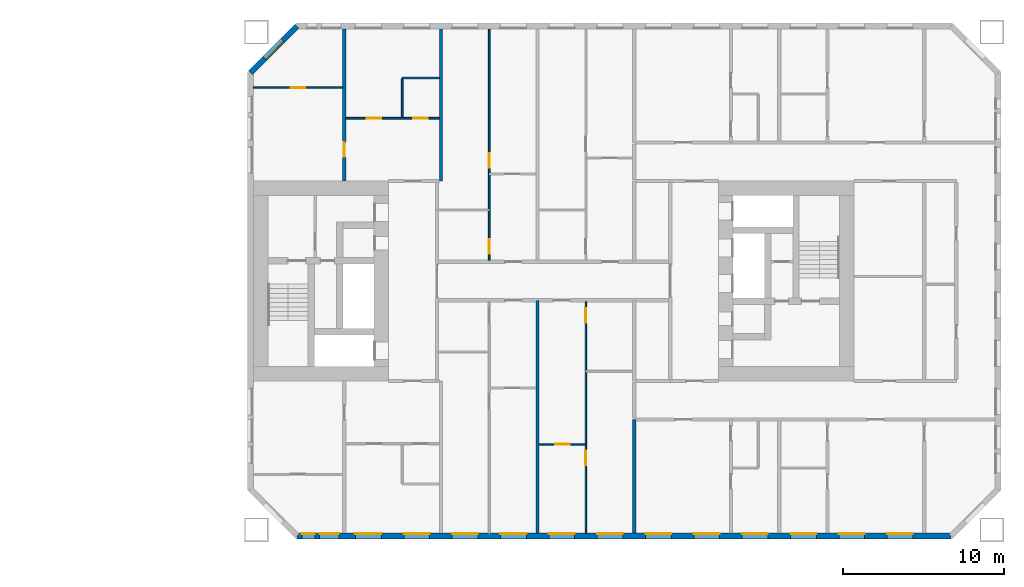
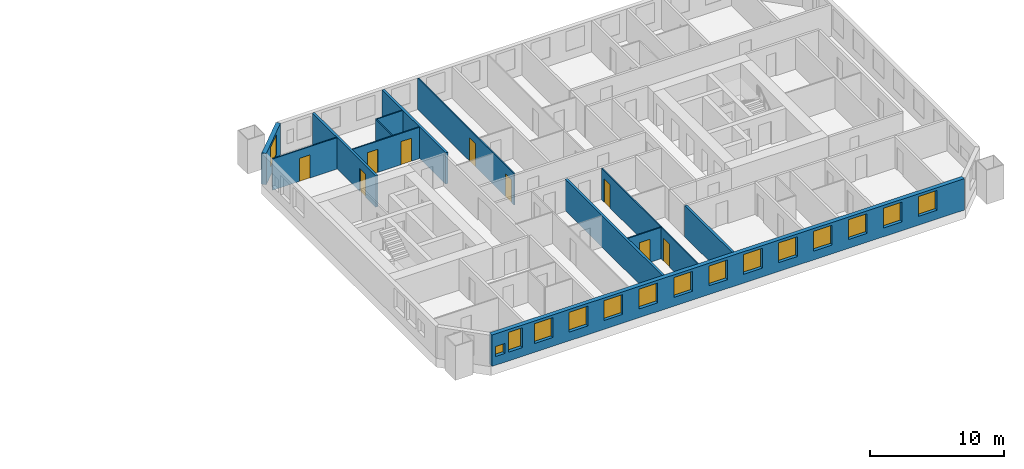
# One storey, part 10 of 16: 15 windows, 13 walls, 9 doors, 24 openings.
"""IFC4 building model written with IfcOpenShell, lengths in metres."""

from ifc_helpers import new_model, si_unit, direction, frame, frame_2d, origin, place, context, subcontext, project, spatial, rectangle, extrude, material, layer, layer_set, type_object, element, fill, save


model = new_model("IFC4")

# Units and contexts
model_context = context("Model", 3, precision=1e-05, world=origin(), true_north=direction((0.0, 1.0)))
body_context = subcontext(model_context, "Body", "Model", "MODEL_VIEW")
ifc_project = project(units=[si_unit("LENGTHUNIT", "METRE"), si_unit("AREAUNIT", "SQUARE_METRE"), si_unit("VOLUMEUNIT", "CUBIC_METRE"), si_unit("PLANEANGLEUNIT", "RADIAN"), si_unit("MASSUNIT", "GRAM", prefix="KILO")], contexts=[model_context])

# Site, building, storey
site_placement = place(None, origin())
site = spatial("IfcSite", under=ifc_project, at=site_placement, CompositionType="ELEMENT")
building_placement = place(site_placement, origin())
building = spatial("IfcBuilding", under=site, at=building_placement, Name="Tuart Gate Housing", CompositionType="ELEMENT")
storey_placement = place(building_placement, frame((0.0, 0.0, 19.5)))
storey = spatial("IfcBuildingStorey", under=building, at=storey_placement, Name="L04", CompositionType="ELEMENT", Elevation=19.5)

# Wall, openings, windows
ifc_material_1 = material(Name="Brick", Category="masonry")
ifc_layer_1 = layer(ifc_material_1, 0.360107421875)
ifc_layer_set_1 = layer_set([ifc_layer_1], Name="Brick pier and spandrel wall 360")
wall_type_1 = type_object("IfcWallType", Name="Brick pier and spandrel wall 360", PredefinedType="STANDARD", material=ifc_layer_set_1)
wall_1_placement = place(storey_placement, frame((134.07470703125, 54.179931640625, 0.0), z_axis=(0.0, 0.0, 1.0), x_axis=(1.0, 0.0, 0.0)))
wall_1 = element("IfcWall", 1, at=wall_1_placement, inside=storey, type_object=wall_type_1, Name="External wall B-S L04", PredefinedType="STANDARD", context=body_context, shape_type="SweptSolid", body=[
    extrude(rectangle(XDim=40.600830078125, YDim=0.360107421875, at=frame_2d((20.30029296875, 0.0))), origin(), (0.0, 0.0, 1.0), 2.85009765625),
])
opening_1_placement = place(wall_1_placement, frame((0.300048828125, 0.0, 0.800048828125)))
opening_1 = element("IfcOpeningElement", 2, at=opening_1_placement, cuts=wall_1, Name="Opening W1V", PredefinedType="OPENING", context=body_context, shape_type="SweptSolid", body=[
    extrude(rectangle(XDim=0.800048828125, YDim=0.89990234375, at=frame_2d((0.39990234375, 0.449951171875))), frame((0.0, 0.18994140625, 0.0), z_axis=(0.0, -1.0, 0.0), x_axis=(1.0, 0.0, 0.0)), (0.0, 0.0, 1.0), 0.380126953125),
])
opening_2_placement = place(wall_1_placement, frame((3.62548828125, 0.0, 0.800048828125)))
opening_2 = element("IfcOpeningElement", 3, at=opening_2_placement, cuts=wall_1, Name="Opening W1", PredefinedType="OPENING", context=body_context, shape_type="SweptSolid", body=[
    extrude(rectangle(XDim=1.60009765625, YDim=1.800048828125, at=frame_2d((0.800048828125, 0.89990234375))), frame((0.0, 0.18994140625, 0.0), z_axis=(0.0, -1.0, 0.0), x_axis=(1.0, 0.0, 0.0)), (0.0, 0.0, 1.0), 0.380126953125),
])
opening_3_placement = place(wall_1_placement, frame((6.62548828125, 0.0, 0.800048828125)))
opening_3 = element("IfcOpeningElement", 4, at=opening_3_placement, cuts=wall_1, Name="Opening W1", PredefinedType="OPENING", context=body_context, shape_type="SweptSolid", body=[
    extrude(rectangle(XDim=1.60009765625, YDim=1.800048828125, at=frame_2d((0.800048828125, 0.89990234375))), frame((0.0, 0.18994140625, 0.0), z_axis=(0.0, -1.0, 0.0), x_axis=(1.0, 0.0, 0.0)), (0.0, 0.0, 1.0), 0.380126953125),
])
opening_4_placement = place(wall_1_placement, frame((9.62548828125, 0.0, 0.800048828125)))
opening_4 = element("IfcOpeningElement", 5, at=opening_4_placement, cuts=wall_1, Name="Opening W1", PredefinedType="OPENING", context=body_context, shape_type="SweptSolid", body=[
    extrude(rectangle(XDim=1.60009765625, YDim=1.800048828125, at=frame_2d((0.800048828125, 0.89990234375))), frame((0.0, 0.18994140625, 0.0), z_axis=(0.0, -1.0, 0.0), x_axis=(1.0, 0.0, 0.0)), (0.0, 0.0, 1.0), 0.380126953125),
])
opening_5_placement = place(wall_1_placement, frame((12.62548828125, 0.0, 0.800048828125)))
opening_5 = element("IfcOpeningElement", 6, at=opening_5_placement, cuts=wall_1, Name="Opening W1", PredefinedType="OPENING", context=body_context, shape_type="SweptSolid", body=[
    extrude(rectangle(XDim=1.60009765625, YDim=1.800048828125, at=frame_2d((0.800048828125, 0.89990234375))), frame((0.0, 0.18994140625, 0.0), z_axis=(0.0, -1.0, 0.0), x_axis=(1.0, 0.0, 0.0)), (0.0, 0.0, 1.0), 0.380126953125),
])
opening_6_placement = place(wall_1_placement, frame((15.62548828125, 0.0, 0.800048828125)))
opening_6 = element("IfcOpeningElement", 7, at=opening_6_placement, cuts=wall_1, Name="Opening W1", PredefinedType="OPENING", context=body_context, shape_type="SweptSolid", body=[
    extrude(rectangle(XDim=1.60009765625, YDim=1.800048828125, at=frame_2d((0.800048828125, 0.89990234375))), frame((0.0, 0.18994140625, 0.0), z_axis=(0.0, -1.0, 0.0), x_axis=(1.0, 0.0, 0.0)), (0.0, 0.0, 1.0), 0.380126953125),
])
opening_7_placement = place(wall_1_placement, frame((18.62548828125, 0.0, 0.800048828125)))
opening_7 = element("IfcOpeningElement", 8, at=opening_7_placement, cuts=wall_1, Name="Opening W1", PredefinedType="OPENING", context=body_context, shape_type="SweptSolid", body=[
    extrude(rectangle(XDim=1.60009765625, YDim=1.800048828125, at=frame_2d((0.800048828125, 0.89990234375))), frame((0.0, 0.18994140625, 0.0), z_axis=(0.0, -1.0, 0.0), x_axis=(1.0, 0.0, 0.0)), (0.0, 0.0, 1.0), 0.380126953125),
])
opening_8_placement = place(wall_1_placement, frame((21.62548828125, 0.0, 0.800048828125)))
opening_8 = element("IfcOpeningElement", 9, at=opening_8_placement, cuts=wall_1, Name="Opening W1", PredefinedType="OPENING", context=body_context, shape_type="SweptSolid", body=[
    extrude(rectangle(XDim=1.60009765625, YDim=1.800048828125, at=frame_2d((0.800048828125, 0.89990234375))), frame((0.0, 0.18994140625, 0.0), z_axis=(0.0, -1.0, 0.0), x_axis=(1.0, 0.0, 0.0)), (0.0, 0.0, 1.0), 0.380126953125),
])
opening_9_placement = place(wall_1_placement, frame((24.62548828125, 0.0, 0.800048828125)))
opening_9 = element("IfcOpeningElement", 10, at=opening_9_placement, cuts=wall_1, Name="Opening W1", PredefinedType="OPENING", context=body_context, shape_type="SweptSolid", body=[
    extrude(rectangle(XDim=1.60009765625, YDim=1.800048828125, at=frame_2d((0.800048828125, 0.89990234375))), frame((0.0, 0.18994140625, 0.0), z_axis=(0.0, -1.0, 0.0), x_axis=(1.0, 0.0, 0.0)), (0.0, 0.0, 1.0), 0.380126953125),
])
opening_10_placement = place(wall_1_placement, frame((27.62548828125, 0.0, 0.800048828125)))
opening_10 = element("IfcOpeningElement", 11, at=opening_10_placement, cuts=wall_1, Name="Opening W1", PredefinedType="OPENING", context=body_context, shape_type="SweptSolid", body=[
    extrude(rectangle(XDim=1.60009765625, YDim=1.800048828125, at=frame_2d((0.800048828125, 0.89990234375))), frame((0.0, 0.18994140625, 0.0), z_axis=(0.0, -1.0, 0.0), x_axis=(1.0, 0.0, 0.0)), (0.0, 0.0, 1.0), 0.380126953125),
])
opening_11_placement = place(wall_1_placement, frame((30.62548828125, 0.0, 0.800048828125)))
opening_11 = element("IfcOpeningElement", 12, at=opening_11_placement, cuts=wall_1, Name="Opening W1", PredefinedType="OPENING", context=body_context, shape_type="SweptSolid", body=[
    extrude(rectangle(XDim=1.60009765625, YDim=1.800048828125, at=frame_2d((0.800048828125, 0.89990234375))), frame((0.0, 0.18994140625, 0.0), z_axis=(0.0, -1.0, 0.0), x_axis=(1.0, 0.0, 0.0)), (0.0, 0.0, 1.0), 0.380126953125),
])
opening_12_placement = place(wall_1_placement, frame((33.62548828125, 0.0, 0.800048828125)))
opening_12 = element("IfcOpeningElement", 13, at=opening_12_placement, cuts=wall_1, Name="Opening W1", PredefinedType="OPENING", context=body_context, shape_type="SweptSolid", body=[
    extrude(rectangle(XDim=1.60009765625, YDim=1.800048828125, at=frame_2d((0.800048828125, 0.89990234375))), frame((0.0, 0.18994140625, 0.0), z_axis=(0.0, -1.0, 0.0), x_axis=(1.0, 0.0, 0.0)), (0.0, 0.0, 1.0), 0.380126953125),
])
opening_13_placement = place(wall_1_placement, frame((36.62548828125, 0.0, 0.800048828125)))
opening_13 = element("IfcOpeningElement", 14, at=opening_13_placement, cuts=wall_1, Name="Opening W1", PredefinedType="OPENING", context=body_context, shape_type="SweptSolid", body=[
    extrude(rectangle(XDim=1.60009765625, YDim=1.800048828125, at=frame_2d((0.800048828125, 0.89990234375))), frame((0.0, 0.18994140625, 0.0), z_axis=(0.0, -1.0, 0.0), x_axis=(1.0, 0.0, 0.0)), (0.0, 0.0, 1.0), 0.380126953125),
])
opening_14_placement = place(wall_1_placement, frame((1.39990234375, 0.0, 0.800048828125)))
opening_14 = element("IfcOpeningElement", 15, at=opening_14_placement, cuts=wall_1, Name="Opening W1B", PredefinedType="OPENING", context=body_context, shape_type="SweptSolid", body=[
    extrude(rectangle(XDim=1.199951171875, YDim=1.800048828125, at=frame_2d((0.60009765625, 0.89990234375))), frame((0.0, 0.18994140625, 0.0), z_axis=(0.0, -1.0, 0.0), x_axis=(1.0, 0.0, 0.0)), (0.0, 0.0, 1.0), 0.380126953125),
])
ifc_material_2 = material(Name="Aluminium frame with clear glass", Category="aluminium")
window_type_1 = type_object("IfcWindowType", Name="Punched window 1200 x 1800", PartitioningType="SINGLE_PANEL", PredefinedType="WINDOW", material=ifc_material_2)
window_1_placement = place(opening_14_placement, origin())
window_1 = element("IfcWindow", 16, at=window_1_placement, inside=storey, type_object=window_type_1, Name="Window W1B", OverallHeight=1.800048828125, OverallWidth=1.199951171875, PartitioningType="SINGLE_PANEL", PredefinedType="WINDOW", context=body_context, shape_type="SweptSolid", body=[
    extrude(rectangle(XDim=1.199951171875, YDim=1.800048828125, at=frame_2d((0.60009765625, 0.89990234375))), frame((0.0, 0.150146484375, 0.0), z_axis=(0.0, -1.0, 0.0), x_axis=(1.0, 0.0, 0.0)), (0.0, 0.0, 1.0), 0.06005859375),
])
fill(opening_14, window_1)
ifc_material_3 = material(Name="Aluminium frame with clear glass", Category="aluminium")
window_type_2 = type_object("IfcWindowType", Name="Punched window 1600 x 1800", PartitioningType="SINGLE_PANEL", PredefinedType="WINDOW", material=ifc_material_3)
window_2_placement = place(opening_2_placement, origin())
window_2 = element("IfcWindow", 17, at=window_2_placement, inside=storey, type_object=window_type_2, Name="Window W1", OverallHeight=1.800048828125, OverallWidth=1.60009765625, PartitioningType="SINGLE_PANEL", PredefinedType="WINDOW", context=body_context, shape_type="SweptSolid", body=[
    extrude(rectangle(XDim=1.60009765625, YDim=1.800048828125, at=frame_2d((0.800048828125, 0.89990234375))), frame((0.0, 0.150146484375, 0.0), z_axis=(0.0, -1.0, 0.0), x_axis=(1.0, 0.0, 0.0)), (0.0, 0.0, 1.0), 0.06005859375),
])
fill(opening_2, window_2)
window_3_placement = place(opening_3_placement, origin())
window_3 = element("IfcWindow", 18, at=window_3_placement, inside=storey, type_object=window_type_2, Name="Window W1", OverallHeight=1.800048828125, OverallWidth=1.60009765625, PartitioningType="SINGLE_PANEL", PredefinedType="WINDOW", context=body_context, shape_type="SweptSolid", body=[
    extrude(rectangle(XDim=1.60009765625, YDim=1.800048828125, at=frame_2d((0.800048828125, 0.89990234375))), frame((0.0, 0.150146484375, 0.0), z_axis=(0.0, -1.0, 0.0), x_axis=(1.0, 0.0, 0.0)), (0.0, 0.0, 1.0), 0.06005859375),
])
fill(opening_3, window_3)
window_4_placement = place(opening_4_placement, origin())
window_4 = element("IfcWindow", 19, at=window_4_placement, inside=storey, type_object=window_type_2, Name="Window W1", OverallHeight=1.800048828125, OverallWidth=1.60009765625, PartitioningType="SINGLE_PANEL", PredefinedType="WINDOW", context=body_context, shape_type="SweptSolid", body=[
    extrude(rectangle(XDim=1.60009765625, YDim=1.800048828125, at=frame_2d((0.800048828125, 0.89990234375))), frame((0.0, 0.150146484375, 0.0), z_axis=(0.0, -1.0, 0.0), x_axis=(1.0, 0.0, 0.0)), (0.0, 0.0, 1.0), 0.06005859375),
])
fill(opening_4, window_4)
window_5_placement = place(opening_5_placement, origin())
window_5 = element("IfcWindow", 20, at=window_5_placement, inside=storey, type_object=window_type_2, Name="Window W1", OverallHeight=1.800048828125, OverallWidth=1.60009765625, PartitioningType="SINGLE_PANEL", PredefinedType="WINDOW", context=body_context, shape_type="SweptSolid", body=[
    extrude(rectangle(XDim=1.60009765625, YDim=1.800048828125, at=frame_2d((0.800048828125, 0.89990234375))), frame((0.0, 0.150146484375, 0.0), z_axis=(0.0, -1.0, 0.0), x_axis=(1.0, 0.0, 0.0)), (0.0, 0.0, 1.0), 0.06005859375),
])
fill(opening_5, window_5)
window_6_placement = place(opening_6_placement, origin())
window_6 = element("IfcWindow", 21, at=window_6_placement, inside=storey, type_object=window_type_2, Name="Window W1", OverallHeight=1.800048828125, OverallWidth=1.60009765625, PartitioningType="SINGLE_PANEL", PredefinedType="WINDOW", context=body_context, shape_type="SweptSolid", body=[
    extrude(rectangle(XDim=1.60009765625, YDim=1.800048828125, at=frame_2d((0.800048828125, 0.89990234375))), frame((0.0, 0.150146484375, 0.0), z_axis=(0.0, -1.0, 0.0), x_axis=(1.0, 0.0, 0.0)), (0.0, 0.0, 1.0), 0.06005859375),
])
fill(opening_6, window_6)
window_7_placement = place(opening_7_placement, origin())
window_7 = element("IfcWindow", 22, at=window_7_placement, inside=storey, type_object=window_type_2, Name="Window W1", OverallHeight=1.800048828125, OverallWidth=1.60009765625, PartitioningType="SINGLE_PANEL", PredefinedType="WINDOW", context=body_context, shape_type="SweptSolid", body=[
    extrude(rectangle(XDim=1.60009765625, YDim=1.800048828125, at=frame_2d((0.800048828125, 0.89990234375))), frame((0.0, 0.150146484375, 0.0), z_axis=(0.0, -1.0, 0.0), x_axis=(1.0, 0.0, 0.0)), (0.0, 0.0, 1.0), 0.06005859375),
])
fill(opening_7, window_7)
window_8_placement = place(opening_8_placement, origin())
window_8 = element("IfcWindow", 23, at=window_8_placement, inside=storey, type_object=window_type_2, Name="Window W1", OverallHeight=1.800048828125, OverallWidth=1.60009765625, PartitioningType="SINGLE_PANEL", PredefinedType="WINDOW", context=body_context, shape_type="SweptSolid", body=[
    extrude(rectangle(XDim=1.60009765625, YDim=1.800048828125, at=frame_2d((0.800048828125, 0.89990234375))), frame((0.0, 0.150146484375, 0.0), z_axis=(0.0, -1.0, 0.0), x_axis=(1.0, 0.0, 0.0)), (0.0, 0.0, 1.0), 0.06005859375),
])
fill(opening_8, window_8)
window_9_placement = place(opening_9_placement, origin())
window_9 = element("IfcWindow", 24, at=window_9_placement, inside=storey, type_object=window_type_2, Name="Window W1", OverallHeight=1.800048828125, OverallWidth=1.60009765625, PartitioningType="SINGLE_PANEL", PredefinedType="WINDOW", context=body_context, shape_type="SweptSolid", body=[
    extrude(rectangle(XDim=1.60009765625, YDim=1.800048828125, at=frame_2d((0.800048828125, 0.89990234375))), frame((0.0, 0.150146484375, 0.0), z_axis=(0.0, -1.0, 0.0), x_axis=(1.0, 0.0, 0.0)), (0.0, 0.0, 1.0), 0.06005859375),
])
fill(opening_9, window_9)
window_10_placement = place(opening_10_placement, origin())
window_10 = element("IfcWindow", 25, at=window_10_placement, inside=storey, type_object=window_type_2, Name="Window W1", OverallHeight=1.800048828125, OverallWidth=1.60009765625, PartitioningType="SINGLE_PANEL", PredefinedType="WINDOW", context=body_context, shape_type="SweptSolid", body=[
    extrude(rectangle(XDim=1.60009765625, YDim=1.800048828125, at=frame_2d((0.800048828125, 0.89990234375))), frame((0.0, 0.150146484375, 0.0), z_axis=(0.0, -1.0, 0.0), x_axis=(1.0, 0.0, 0.0)), (0.0, 0.0, 1.0), 0.06005859375),
])
fill(opening_10, window_10)
window_11_placement = place(opening_11_placement, origin())
window_11 = element("IfcWindow", 26, at=window_11_placement, inside=storey, type_object=window_type_2, Name="Window W1", OverallHeight=1.800048828125, OverallWidth=1.60009765625, PartitioningType="SINGLE_PANEL", PredefinedType="WINDOW", context=body_context, shape_type="SweptSolid", body=[
    extrude(rectangle(XDim=1.60009765625, YDim=1.800048828125, at=frame_2d((0.800048828125, 0.89990234375))), frame((0.0, 0.150146484375, 0.0), z_axis=(0.0, -1.0, 0.0), x_axis=(1.0, 0.0, 0.0)), (0.0, 0.0, 1.0), 0.06005859375),
])
fill(opening_11, window_11)
window_12_placement = place(opening_12_placement, origin())
window_12 = element("IfcWindow", 27, at=window_12_placement, inside=storey, type_object=window_type_2, Name="Window W1", OverallHeight=1.800048828125, OverallWidth=1.60009765625, PartitioningType="SINGLE_PANEL", PredefinedType="WINDOW", context=body_context, shape_type="SweptSolid", body=[
    extrude(rectangle(XDim=1.60009765625, YDim=1.800048828125, at=frame_2d((0.800048828125, 0.89990234375))), frame((0.0, 0.150146484375, 0.0), z_axis=(0.0, -1.0, 0.0), x_axis=(1.0, 0.0, 0.0)), (0.0, 0.0, 1.0), 0.06005859375),
])
fill(opening_12, window_12)
window_13_placement = place(opening_13_placement, origin())
window_13 = element("IfcWindow", 28, at=window_13_placement, inside=storey, type_object=window_type_2, Name="Window W1", OverallHeight=1.800048828125, OverallWidth=1.60009765625, PartitioningType="SINGLE_PANEL", PredefinedType="WINDOW", context=body_context, shape_type="SweptSolid", body=[
    extrude(rectangle(XDim=1.60009765625, YDim=1.800048828125, at=frame_2d((0.800048828125, 0.89990234375))), frame((0.0, 0.150146484375, 0.0), z_axis=(0.0, -1.0, 0.0), x_axis=(1.0, 0.0, 0.0)), (0.0, 0.0, 1.0), 0.06005859375),
])
fill(opening_13, window_13)
ifc_material_4 = material(Name="Aluminium frame with clear glass", Category="aluminium")
window_type_3 = type_object("IfcWindowType", Name="Punched window 800 x 900", PartitioningType="SINGLE_PANEL", PredefinedType="WINDOW", material=ifc_material_4)
window_14_placement = place(opening_1_placement, origin())
window_14 = element("IfcWindow", 29, at=window_14_placement, inside=storey, type_object=window_type_3, Name="Window W1V", OverallHeight=0.89990234375, OverallWidth=0.800048828125, PartitioningType="SINGLE_PANEL", PredefinedType="WINDOW", context=body_context, shape_type="SweptSolid", body=[
    extrude(rectangle(XDim=0.800048828125, YDim=0.89990234375, at=frame_2d((0.39990234375, 0.449951171875))), frame((0.0, 0.150146484375, 0.0), z_axis=(0.0, -1.0, 0.0), x_axis=(1.0, 0.0, 0.0)), (0.0, 0.0, 1.0), 0.06005859375),
])
fill(opening_1, window_14)

# Wall, opening, window
wall_2_placement = place(storey_placement, frame((134.07470703125, 85.820068359375, 0.0), z_axis=(0.0, 0.0, 1.0), x_axis=(-0.707106781187, -0.707106781187, 0.0)))
wall_2 = element("IfcWall", 30, at=wall_2_placement, inside=storey, type_object=wall_type_1, Name="External wall B-NW L04", PredefinedType="STANDARD", context=body_context, shape_type="SweptSolid", body=[
    extrude(rectangle(XDim=4.09375, YDim=0.360107421875, at=frame_2d((2.046875, 0.0))), origin(), (0.0, 0.0, 1.0), 2.85009765625),
])
opening_15_placement = place(wall_2_placement, frame((1.2470703125, 0.0, 0.800048828125)))
opening_15 = element("IfcOpeningElement", 31, at=opening_15_placement, cuts=wall_2, Name="Opening W1", PredefinedType="OPENING", context=body_context, shape_type="SweptSolid", body=[
    extrude(rectangle(XDim=1.60009765625, YDim=1.800048828125, at=frame_2d((0.800048828125, 0.89990234375))), frame((0.0, 0.18994140625, 0.0), z_axis=(0.0, -1.0, 0.0), x_axis=(1.0, 0.0, 0.0)), (0.0, 0.0, 1.0), 0.380126953125),
])
window_15_placement = place(opening_15_placement, origin())
window_15 = element("IfcWindow", 32, at=window_15_placement, inside=storey, type_object=window_type_2, Name="Window W1", OverallHeight=1.800048828125, OverallWidth=1.60009765625, PartitioningType="SINGLE_PANEL", PredefinedType="WINDOW", context=body_context, shape_type="SweptSolid", body=[
    extrude(rectangle(XDim=1.60009765625, YDim=1.800048828125, at=frame_2d((0.800048828125, 0.89990234375))), frame((0.0, 0.150146484375, 0.0), z_axis=(0.0, -1.0, 0.0), x_axis=(1.0, 0.0, 0.0)), (0.0, 0.0, 1.0), 0.06005859375),
])
fill(opening_15, window_15)

# Wall, opening, door
ifc_material_5 = material(Name="Gypsum board on steel studs", Category="steel")
ifc_layer_2 = layer(ifc_material_5, 0.10009765625)
ifc_layer_set_2 = layer_set([ifc_layer_2], Name="Partition 100")
wall_type_2 = type_object("IfcWallType", Name="Partition 100", PredefinedType="PARTITIONING", material=ifc_layer_set_2)
wall_3_placement = place(storey_placement, frame((149.10009765625, 59.860107421875, 0.0), z_axis=(0.0, 0.0, 1.0), x_axis=(1.0, 0.0, 0.0)))
wall_3 = element("IfcWall", 33, at=wall_3_placement, inside=storey, type_object=wall_type_2, Name="Partition 100", PredefinedType="PARTITIONING", context=body_context, shape_type="SweptSolid", body=[
    extrude(rectangle(XDim=2.89990234375, YDim=0.10009765625, at=frame_2d((1.449951171875, 0.0))), origin(), (0.0, 0.0, 1.0), 2.85009765625),
])
opening_16_placement = place(wall_3_placement, frame((1.0, 0.0, 0.0)))
opening_16 = element("IfcOpeningElement", 34, at=opening_16_placement, cuts=wall_3, Name="Opening D459", PredefinedType="OPENING", context=body_context, shape_type="SweptSolid", body=[
    extrude(rectangle(XDim=0.89990234375, YDim=2.10009765625, at=frame_2d((0.449951171875, 1.050048828125))), frame((0.0, 0.06005859375, 0.0), z_axis=(0.0, -1.0, 0.0), x_axis=(1.0, 0.0, 0.0)), (0.0, 0.0, 1.0), 0.1201171875),
])
ifc_material_6 = material(Name="Timber door leaf in steel frame", Category="steel")
door_type_1 = type_object("IfcDoorType", Name="Internal door 900 RH", OperationType="SINGLE_SWING_RIGHT", PredefinedType="DOOR", material=ifc_material_6)
door_1_placement = place(opening_16_placement, origin())
door_1 = element("IfcDoor", 35, at=door_1_placement, inside=storey, type_object=door_type_1, Name="Internal door", OperationType="SINGLE_SWING_RIGHT", OverallHeight=2.10009765625, OverallWidth=0.89990234375, PredefinedType="DOOR", context=body_context, shape_type="SweptSolid", body=[
    extrude(rectangle(XDim=0.89990234375, YDim=2.10009765625, at=frame_2d((0.449951171875, 1.050048828125))), frame((0.0, 0.02490234375, 0.0), z_axis=(0.0, -1.0, 0.0), x_axis=(1.0, 0.0, 0.0)), (0.0, 0.0, 1.0), 0.050048828125),
])
fill(opening_16, door_1)

# Wall, openings, doors
wall_4_placement = place(storey_placement, frame((137.10009765625, 80.10009765625, 0.0), z_axis=(0.0, 0.0, 1.0), x_axis=(1.0, 0.0, 0.0)))
wall_4 = element("IfcWall", 36, at=wall_4_placement, inside=storey, type_object=wall_type_2, Name="Partition 100", PredefinedType="PARTITIONING", context=body_context, shape_type="SweptSolid", body=[
    extrude(rectangle(XDim=5.7998046875, YDim=0.10009765625, at=frame_2d((2.89990234375, 0.0))), origin(), (0.0, 0.0, 1.0), 2.85009765625),
])
opening_17_placement = place(wall_4_placement, frame((1.300048828125, 0.0, 0.0)))
opening_17 = element("IfcOpeningElement", 37, at=opening_17_placement, cuts=wall_4, Name="Opening D417", PredefinedType="OPENING", context=body_context, shape_type="SweptSolid", body=[
    extrude(rectangle(XDim=0.89990234375, YDim=2.10009765625, at=frame_2d((0.449951171875, 1.050048828125))), frame((0.0, 0.06005859375, 0.0), z_axis=(0.0, -1.0, 0.0), x_axis=(1.0, 0.0, 0.0)), (0.0, 0.0, 1.0), 0.1201171875),
])
opening_18_placement = place(wall_4_placement, frame((4.199951171875, 0.0, 0.0)))
opening_18 = element("IfcOpeningElement", 38, at=opening_18_placement, cuts=wall_4, Name="Opening D416", PredefinedType="OPENING", context=body_context, shape_type="SweptSolid", body=[
    extrude(rectangle(XDim=0.89990234375, YDim=2.10009765625, at=frame_2d((0.449951171875, 1.050048828125))), frame((0.0, 0.06005859375, 0.0), z_axis=(0.0, -1.0, 0.0), x_axis=(1.0, 0.0, 0.0)), (0.0, 0.0, 1.0), 0.1201171875),
])
ifc_material_7 = material(Name="Timber door leaf in steel frame", Category="steel")
door_type_2 = type_object("IfcDoorType", Name="Bathroom door 900", OperationType="SINGLE_SWING_LEFT", PredefinedType="DOOR", material=ifc_material_7)
door_2_placement = place(opening_18_placement, origin())
door_2 = element("IfcDoor", 39, at=door_2_placement, inside=storey, type_object=door_type_2, Name="Bathroom door", OperationType="SINGLE_SWING_LEFT", OverallHeight=2.10009765625, OverallWidth=0.89990234375, PredefinedType="DOOR", context=body_context, shape_type="SweptSolid", body=[
    extrude(rectangle(XDim=0.89990234375, YDim=2.10009765625, at=frame_2d((0.449951171875, 1.050048828125))), frame((0.0, 0.02490234375, 0.0), z_axis=(0.0, -1.0, 0.0), x_axis=(1.0, 0.0, 0.0)), (0.0, 0.0, 1.0), 0.050048828125),
])
fill(opening_18, door_2)
door_3_placement = place(opening_17_placement, origin())
door_3 = element("IfcDoor", 40, at=door_3_placement, inside=storey, type_object=door_type_1, Name="Internal door", OperationType="SINGLE_SWING_RIGHT", OverallHeight=2.10009765625, OverallWidth=0.89990234375, PredefinedType="DOOR", context=body_context, shape_type="SweptSolid", body=[
    extrude(rectangle(XDim=0.89990234375, YDim=2.10009765625, at=frame_2d((0.449951171875, 1.050048828125))), frame((0.0, 0.02490234375, 0.0), z_axis=(0.0, -1.0, 0.0), x_axis=(1.0, 0.0, 0.0)), (0.0, 0.0, 1.0), 0.050048828125),
])
fill(opening_17, door_3)

# Wall, opening, door
wall_5_placement = place(storey_placement, frame((131.360107421875, 82.0, 0.0), z_axis=(0.0, 0.0, 1.0), x_axis=(1.0, 0.0, 0.0)))
wall_5 = element("IfcWall", 41, at=wall_5_placement, inside=storey, type_object=wall_type_2, Name="Partition 100", PredefinedType="PARTITIONING", context=body_context, shape_type="SweptSolid", body=[
    extrude(rectangle(XDim=5.539794921875, YDim=0.10009765625, at=frame_2d((2.77001953125, 0.0))), origin(), (0.0, 0.0, 1.0), 2.85009765625),
])
opening_19_placement = place(wall_5_placement, frame((2.320068359375, 0.0, 0.0)))
opening_19 = element("IfcOpeningElement", 42, at=opening_19_placement, cuts=wall_5, Name="Opening D414", PredefinedType="OPENING", context=body_context, shape_type="SweptSolid", body=[
    extrude(rectangle(XDim=0.89990234375, YDim=2.10009765625, at=frame_2d((0.449951171875, 1.050048828125))), frame((0.0, 0.06005859375, 0.0), z_axis=(0.0, -1.0, 0.0), x_axis=(1.0, 0.0, 0.0)), (0.0, 0.0, 1.0), 0.1201171875),
])
ifc_material_8 = material(Name="Timber door leaf in steel frame", Category="steel")
door_type_3 = type_object("IfcDoorType", Name="Internal door 900", OperationType="SINGLE_SWING_LEFT", PredefinedType="DOOR", material=ifc_material_8)
door_4_placement = place(opening_19_placement, origin())
door_4 = element("IfcDoor", 43, at=door_4_placement, inside=storey, type_object=door_type_3, Name="Internal door", OperationType="SINGLE_SWING_LEFT", OverallHeight=2.10009765625, OverallWidth=0.89990234375, PredefinedType="DOOR", context=body_context, shape_type="SweptSolid", body=[
    extrude(rectangle(XDim=0.89990234375, YDim=2.10009765625, at=frame_2d((0.449951171875, 1.050048828125))), frame((0.0, 0.02490234375, 0.0), z_axis=(0.0, -1.0, 0.0), x_axis=(1.0, 0.0, 0.0)), (0.0, 0.0, 1.0), 0.050048828125),
])
fill(opening_19, door_4)

# Walls
wall_6_placement = place(storey_placement, frame((140.60009765625, 82.60009765625, 0.0), z_axis=(0.0, 0.0, 1.0), x_axis=(1.0, 0.0, 0.0)))
element("IfcWall", 44, at=wall_6_placement, inside=storey, type_object=wall_type_2, Name="Partition 100", PredefinedType="PARTITIONING", context=body_context, shape_type="SweptSolid", body=[
    extrude(rectangle(XDim=2.2998046875, YDim=0.10009765625, at=frame_2d((1.14990234375, 0.0))), origin(), (0.0, 0.0, 1.0), 2.85009765625),
])
wall_7_placement = place(storey_placement, frame((140.60009765625, 80.14990234375, 0.0), z_axis=(0.0, 0.0, 1.0), x_axis=(0.0, 1.0, 0.0)))
element("IfcWall", 45, at=wall_7_placement, inside=storey, type_object=wall_type_2, Name="Partition 100", PredefinedType="PARTITIONING", context=body_context, shape_type="SweptSolid", body=[
    extrude(rectangle(XDim=2.400146484375, YDim=0.10009765625, at=frame_2d((1.2001953125, 0.0))), origin(), (0.0, 0.0, 1.0), 2.85009765625),
])

# Wall, openings, doors
wall_8_placement = place(storey_placement, frame((146.0, 71.300048828125, 0.0), z_axis=(0.0, 0.0, 1.0), x_axis=(0.0, 1.0, 0.0)))
wall_8 = element("IfcWall", 46, at=wall_8_placement, inside=storey, type_object=wall_type_2, Name="Partition 100", PredefinedType="PARTITIONING", context=body_context, shape_type="SweptSolid", body=[
    extrude(rectangle(XDim=14.33984375, YDim=0.10009765625, at=frame_2d((7.169921875, 0.0))), origin(), (0.0, 0.0, 1.0), 2.85009765625),
])
opening_20_placement = place(wall_8_placement, frame((5.739990234375, 0.0, 0.0)))
opening_20 = element("IfcOpeningElement", 47, at=opening_20_placement, cuts=wall_8, Name="Opening D421", PredefinedType="OPENING", context=body_context, shape_type="SweptSolid", body=[
    extrude(rectangle(XDim=0.89990234375, YDim=2.10009765625, at=frame_2d((0.449951171875, 1.050048828125))), frame((0.0, 0.06005859375, 0.0), z_axis=(0.0, -1.0, 0.0), x_axis=(1.0, 0.0, 0.0)), (0.0, 0.0, 1.0), 0.1201171875),
])
opening_21_placement = place(wall_8_placement, frame((0.39990234375, 0.0, 0.0)))
opening_21 = element("IfcOpeningElement", 48, at=opening_21_placement, cuts=wall_8, Name="Opening D420", PredefinedType="OPENING", context=body_context, shape_type="SweptSolid", body=[
    extrude(rectangle(XDim=0.89990234375, YDim=2.10009765625, at=frame_2d((0.449951171875, 1.050048828125))), frame((0.0, 0.06005859375, 0.0), z_axis=(0.0, -1.0, 0.0), x_axis=(1.0, 0.0, 0.0)), (0.0, 0.0, 1.0), 0.1201171875),
])
door_5_placement = place(opening_21_placement, origin())
door_5 = element("IfcDoor", 49, at=door_5_placement, inside=storey, type_object=door_type_2, Name="Bathroom door", OperationType="SINGLE_SWING_LEFT", OverallHeight=2.10009765625, OverallWidth=0.89990234375, PredefinedType="DOOR", context=body_context, shape_type="SweptSolid", body=[
    extrude(rectangle(XDim=0.89990234375, YDim=2.10009765625, at=frame_2d((0.449951171875, 1.050048828125))), frame((0.0, 0.02490234375, 0.0), z_axis=(0.0, -1.0, 0.0), x_axis=(1.0, 0.0, 0.0)), (0.0, 0.0, 1.0), 0.050048828125),
])
fill(opening_21, door_5)
door_6_placement = place(opening_20_placement, origin())
door_6 = element("IfcDoor", 50, at=door_6_placement, inside=storey, type_object=door_type_3, Name="Internal door", OperationType="SINGLE_SWING_LEFT", OverallHeight=2.10009765625, OverallWidth=0.89990234375, PredefinedType="DOOR", context=body_context, shape_type="SweptSolid", body=[
    extrude(rectangle(XDim=0.89990234375, YDim=2.10009765625, at=frame_2d((0.449951171875, 1.050048828125))), frame((0.0, 0.02490234375, 0.0), z_axis=(0.0, -1.0, 0.0), x_axis=(1.0, 0.0, 0.0)), (0.0, 0.0, 1.0), 0.050048828125),
])
fill(opening_20, door_6)

wall_9_placement = place(storey_placement, frame((152.0, 54.360107421875, 0.0), z_axis=(0.0, 0.0, 1.0), x_axis=(0.0, 1.0, 0.0)))
wall_9 = element("IfcWall", 51, at=wall_9_placement, inside=storey, type_object=wall_type_2, Name="Partition 100", PredefinedType="PARTITIONING", context=body_context, shape_type="SweptSolid", body=[
    extrude(rectangle(XDim=14.33984375, YDim=0.10009765625, at=frame_2d((7.169921875, 0.0))), origin(), (0.0, 0.0, 1.0), 2.85009765625),
])
opening_22_placement = place(wall_9_placement, frame((4.199951171875, 0.0, 0.0)))
opening_22 = element("IfcOpeningElement", 52, at=opening_22_placement, cuts=wall_9, Name="Opening D454", PredefinedType="OPENING", context=body_context, shape_type="SweptSolid", body=[
    extrude(rectangle(XDim=0.89990234375, YDim=2.10009765625, at=frame_2d((0.449951171875, 1.050048828125))), frame((0.0, 0.06005859375, 0.0), z_axis=(0.0, -1.0, 0.0), x_axis=(1.0, 0.0, 0.0)), (0.0, 0.0, 1.0), 0.1201171875),
])
opening_23_placement = place(wall_9_placement, frame((13.0400390625, 0.0, 0.0)))
opening_23 = element("IfcOpeningElement", 53, at=opening_23_placement, cuts=wall_9, Name="Opening D453", PredefinedType="OPENING", context=body_context, shape_type="SweptSolid", body=[
    extrude(rectangle(XDim=0.89990234375, YDim=2.10009765625, at=frame_2d((0.449951171875, 1.050048828125))), frame((0.0, 0.06005859375, 0.0), z_axis=(0.0, -1.0, 0.0), x_axis=(1.0, 0.0, 0.0)), (0.0, 0.0, 1.0), 0.1201171875),
])
door_7_placement = place(opening_23_placement, frame((0.89990234375, 0.0, 0.0), z_axis=(0.0, 0.0, 1.0), x_axis=(-1.0, 0.0, 0.0)))
door_7 = element("IfcDoor", 54, at=door_7_placement, inside=storey, type_object=door_type_2, Name="Bathroom door", OperationType="SINGLE_SWING_LEFT", OverallHeight=2.10009765625, OverallWidth=0.89990234375, PredefinedType="DOOR", context=body_context, shape_type="SweptSolid", body=[
    extrude(rectangle(XDim=0.89990234375, YDim=2.10009765625, at=frame_2d((0.449951171875, 1.050048828125))), frame((0.0, 0.025146484375, 0.0), z_axis=(0.0, -1.0, 0.0), x_axis=(1.0, 0.0, 0.0)), (0.0, 0.0, 1.0), 0.050048828125),
])
fill(opening_23, door_7)
door_8_placement = place(opening_22_placement, frame((0.89990234375, 0.0, 0.0), z_axis=(0.0, 0.0, 1.0), x_axis=(-1.0, 0.0, 0.0)))
door_8 = element("IfcDoor", 55, at=door_8_placement, inside=storey, type_object=door_type_1, Name="Internal door", OperationType="SINGLE_SWING_RIGHT", OverallHeight=2.10009765625, OverallWidth=0.89990234375, PredefinedType="DOOR", context=body_context, shape_type="SweptSolid", body=[
    extrude(rectangle(XDim=0.89990234375, YDim=2.10009765625, at=frame_2d((0.449951171875, 1.050048828125))), frame((0.0, 0.025146484375, 0.0), z_axis=(0.0, -1.0, 0.0), x_axis=(1.0, 0.0, 0.0)), (0.0, 0.0, 1.0), 0.050048828125),
])
fill(opening_22, door_8)

# Wall, opening, door
ifc_material_9 = material(Name="Concrete C40", Category="concrete")
ifc_layer_3 = layer(ifc_material_9, 0.199951171875)
ifc_layer_set_3 = layer_set([ifc_layer_3], Name="Party wall concrete C40 200")
wall_type_3 = type_object("IfcWallType", Name="Party wall concrete C40 200", PredefinedType="SOLIDWALL", material=ifc_layer_set_3)
wall_10_placement = place(storey_placement, frame((137.0, 76.199951171875, 0.0), z_axis=(0.0, 0.0, 1.0), x_axis=(0.0, 1.0, 0.0)))
wall_10 = element("IfcWall", 56, at=wall_10_placement, inside=storey, type_object=wall_type_3, Name="Party wall concrete C40 200", PredefinedType="SOLIDWALL", context=body_context, shape_type="SweptSolid", body=[
    extrude(rectangle(XDim=9.43994140625, YDim=0.199951171875, at=frame_2d((4.719970703125, 0.0))), origin(), (0.0, 0.0, 1.0), 2.85009765625),
])
opening_24_placement = place(wall_10_placement, frame((1.5, 0.0, 0.0)))
opening_24 = element("IfcOpeningElement", 57, at=opening_24_placement, cuts=wall_10, Name="Opening D415", PredefinedType="OPENING", context=body_context, shape_type="SweptSolid", body=[
    extrude(rectangle(XDim=0.89990234375, YDim=2.10009765625, at=frame_2d((0.449951171875, 1.050048828125))), frame((0.0, 0.10986328125, 0.0), z_axis=(0.0, -1.0, 0.0), x_axis=(1.0, 0.0, 0.0)), (0.0, 0.0, 1.0), 0.219970703125),
])
door_9_placement = place(opening_24_placement, frame((0.89990234375, 0.0, 0.0), z_axis=(0.0, 0.0, 1.0), x_axis=(-1.0, 0.0, 0.0)))
door_9 = element("IfcDoor", 58, at=door_9_placement, inside=storey, type_object=door_type_1, Name="Internal door", OperationType="SINGLE_SWING_RIGHT", OverallHeight=2.10009765625, OverallWidth=0.89990234375, PredefinedType="DOOR", context=body_context, shape_type="SweptSolid", body=[
    extrude(rectangle(XDim=0.89990234375, YDim=2.10009765625, at=frame_2d((0.449951171875, 1.050048828125))), frame((0.0, 0.025146484375, 0.0), z_axis=(0.0, -1.0, 0.0), x_axis=(1.0, 0.0, 0.0)), (0.0, 0.0, 1.0), 0.050048828125),
])
fill(opening_24, door_9)

# Walls
wall_11_placement = place(storey_placement, frame((143.0, 76.199951171875, 0.0), z_axis=(0.0, 0.0, 1.0), x_axis=(0.0, 1.0, 0.0)))
element("IfcWall", 59, at=wall_11_placement, inside=storey, type_object=wall_type_3, Name="Party wall concrete C40 200", PredefinedType="SOLIDWALL", context=body_context, shape_type="SweptSolid", body=[
    extrude(rectangle(XDim=9.43994140625, YDim=0.199951171875, at=frame_2d((4.719970703125, 0.0))), origin(), (0.0, 0.0, 1.0), 2.85009765625),
])
wall_12_placement = place(storey_placement, frame((149.0, 54.360107421875, 0.0), z_axis=(0.0, 0.0, 1.0), x_axis=(0.0, 1.0, 0.0)))
element("IfcWall", 60, at=wall_12_placement, inside=storey, type_object=wall_type_3, Name="Party wall concrete C40 200", PredefinedType="SOLIDWALL", context=body_context, shape_type="SweptSolid", body=[
    extrude(rectangle(XDim=14.43994140625, YDim=0.199951171875, at=frame_2d((7.219970703125, 0.0))), origin(), (0.0, 0.0, 1.0), 2.85009765625),
])
wall_13_placement = place(storey_placement, frame((155.0, 54.360107421875, 0.0), z_axis=(0.0, 0.0, 1.0), x_axis=(0.0, 1.0, 0.0)))
element("IfcWall", 61, at=wall_13_placement, inside=storey, type_object=wall_type_3, Name="Party wall concrete C40 200", PredefinedType="SOLIDWALL", context=body_context, shape_type="SweptSolid", body=[
    extrude(rectangle(XDim=7.039794921875, YDim=0.199951171875, at=frame_2d((3.52001953125, 0.0))), origin(), (0.0, 0.0, 1.0), 2.85009765625),
])

save(model, "model.ifc")
